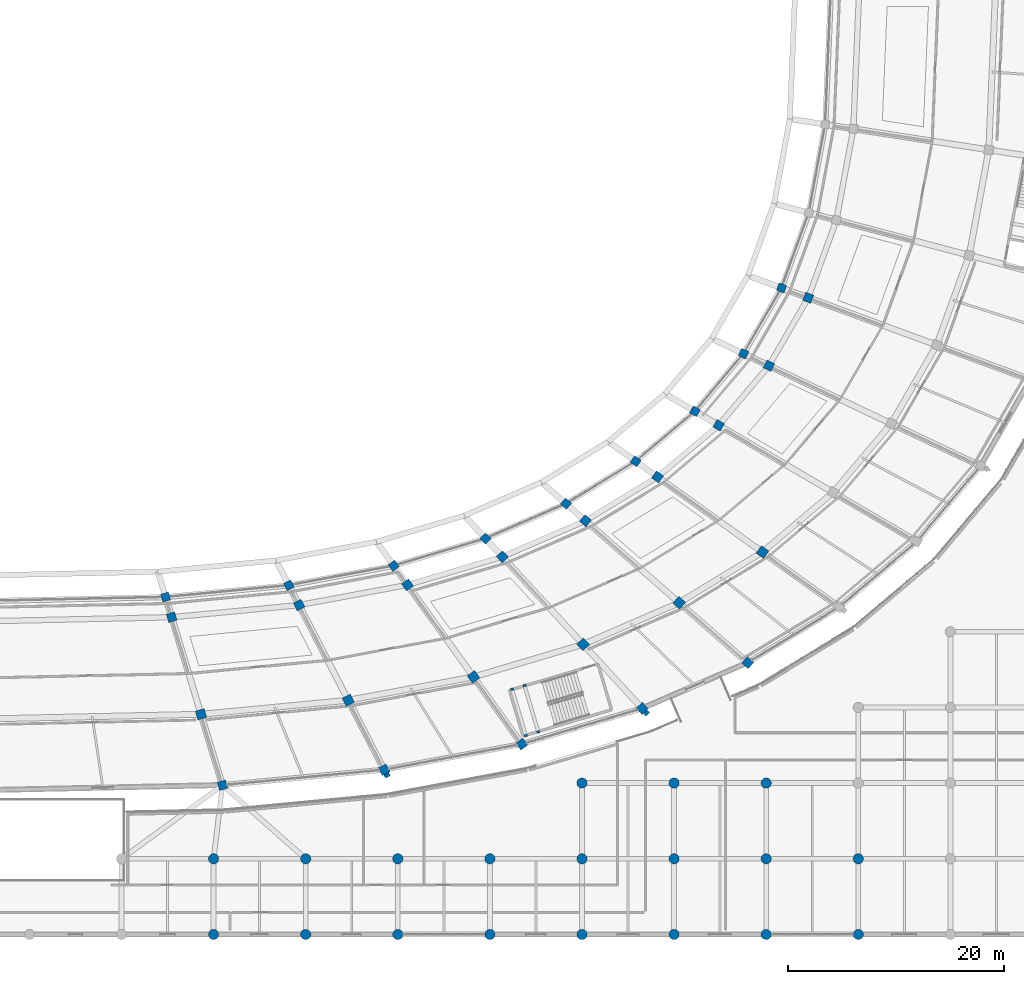
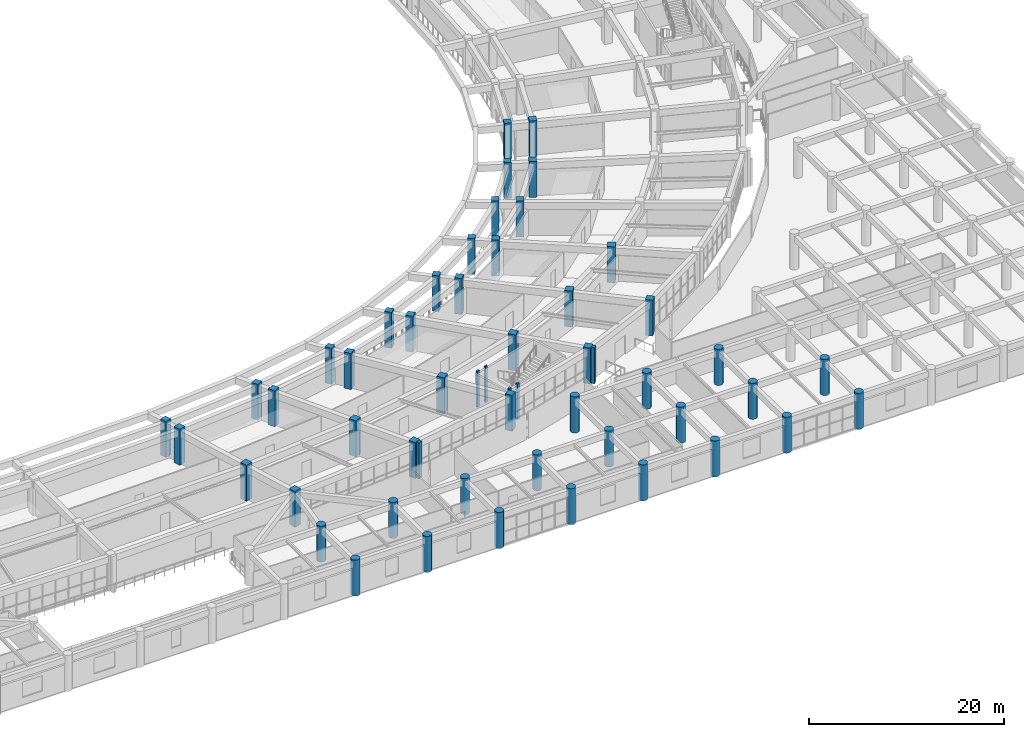
# One storey, part 4 of 145: 54 columns.
"""IFC4 building model written with IfcOpenShell, lengths in metres."""

import ifcopenshell
import ifcopenshell.guid

model = None  # the IFC model being written
_history = None  # IfcOwnerHistory: only IFC2X3 demands one
_inside = {}  # id of a spatial element -> (the spatial element, [elements in it])
_under = {}  # id of a project, library or spatial element -> (it, [spatial elements below it])
_declared = {}  # id of a project -> (the project, [libraries it declares])
_typed = {}  # id of a type object -> (the type object, [elements of that type])
_made_of = {}  # id of a material, layer set ... -> (it, [elements and type objects made of it])


def new_model(schema):
    """Start an empty IFC model of exactly this schema.

    Asked for "IFC4X3", IfcOpenShell would pick the latest addendum, in which some entities
    have other attributes; the version numbers below select the first issue.
    IFC2X3 requires an IfcOwnerHistory on every rooted entity: one is made here for all.
    """
    global model, _history
    if schema == "IFC4X3":
        model = ifcopenshell.file(schema_version=(4, 3, 0, 0))
    else:
        model = ifcopenshell.file(schema=schema)
    _inside.clear()
    _under.clear()
    _declared.clear()
    _typed.clear()
    _made_of.clear()
    _history = None
    if model.schema == "IFC2X3":
        org = make("IfcOrganization", Name="unknown")
        user = make(
            "IfcPersonAndOrganization",
            ThePerson=make("IfcPerson", FamilyName="unknown"),
            TheOrganization=org,
        )
        app = make(
            "IfcApplication",
            ApplicationDeveloper=org,
            Version="unknown",
            ApplicationFullName="unknown",
            ApplicationIdentifier="unknown",
        )
        _history = make(
            "IfcOwnerHistory",
            OwningUser=user,
            OwningApplication=app,
            ChangeAction="ADDED",
            CreationDate=0,
        )
    return model


def make(cls, **values):
    """One entity of the class cls with the attributes given. An attribute that is None is left unset."""
    return model.create_entity(
        cls, **{name: value for name, value in values.items() if value is not None}
    )


def rooted(cls, **values):
    """An entity with a GlobalId (a new one), such as an element, a storey or a relation."""
    return make(cls, GlobalId=ifcopenshell.guid.new(), OwnerHistory=_history, **values)


def si_unit(unit_type, name, prefix=None):
    """IfcSIUnit, for example si_unit("LENGTHUNIT", "METRE", prefix="MILLI")."""
    return make("IfcSIUnit", UnitType=unit_type, Prefix=prefix, Name=name)


def assignment(units):
    """IfcUnitAssignment: the units of a project."""
    return None if units is None else make("IfcUnitAssignment", Units=units)


def point(xyz):
    """IfcCartesianPoint."""
    return None if xyz is None else make("IfcCartesianPoint", Coordinates=xyz)


def direction(xyz):
    """IfcDirection."""
    return None if xyz is None else make("IfcDirection", DirectionRatios=xyz)


def frame(location, z_axis=None, x_axis=None):
    """IfcAxis2Placement3D, a coordinate frame: its origin and axes. An axis left out is left unset."""
    return make(
        "IfcAxis2Placement3D",
        Location=point(location),
        Axis=direction(z_axis),
        RefDirection=direction(x_axis),
    )


def frame_2d(location, x_axis=None):
    """IfcAxis2Placement2D, a coordinate frame in the plane: its origin and x axis."""
    return make(
        "IfcAxis2Placement2D", Location=point(location), RefDirection=direction(x_axis)
    )


def origin():
    """The frame at (0, 0, 0) with its axes left unset."""
    return frame((0.0, 0.0, 0.0))


def origin_2d():
    """The frame at (0, 0) in the plane with its x axis left unset."""
    return frame_2d((0.0, 0.0))


def place(relative_to, where):
    """IfcLocalPlacement: puts the frame where relative to a parent placement (None: the world)."""
    return make(
        "IfcLocalPlacement", PlacementRelTo=relative_to, RelativePlacement=where
    )


def context(
    kind, dimensions, precision=None, world=None, true_north=None, identifier=None
):
    """IfcGeometricRepresentationContext, for example the 3D "Model" context."""
    return make(
        "IfcGeometricRepresentationContext",
        ContextIdentifier=identifier,
        ContextType=kind,
        CoordinateSpaceDimension=dimensions,
        Precision=precision,
        WorldCoordinateSystem=world,
        TrueNorth=true_north,
    )


def subcontext(parent, identifier, kind, view, scale=None):
    """IfcGeometricRepresentationSubContext, for example "Body" below "Model"."""
    return make(
        "IfcGeometricRepresentationSubContext",
        ContextIdentifier=identifier,
        ContextType=kind,
        ParentContext=parent,
        TargetScale=scale,
        TargetView=view,
    )


def project(units=None, contexts=None):
    """IfcProject with its units and contexts."""
    return rooted(
        "IfcProject",
        Name="project",
        RepresentationContexts=contexts,
        UnitsInContext=assignment(units),
    )


def spatial(cls, under=None, at=None, **own):
    """A site, building, storey or space (cls), placed at a placement, below another one or the project."""
    s = rooted(cls, ObjectPlacement=at, **own)
    if under is not None:
        _under.setdefault(under.id(), (under, []))[1].append(s)
    return s


def profile(cls, at=None, kind="AREA", **sizes):
    """A parametric profile (cls). Its sizes go by their IFC names, for example OverallWidth=200.0."""
    return make(cls, ProfileType=kind, Position=at, **sizes)


def rectangle(**sizes):
    """IfcRectangleProfileDef."""
    return profile("IfcRectangleProfileDef", **sizes)


def circle(**sizes):
    """IfcCircleProfileDef."""
    return profile("IfcCircleProfileDef", **sizes)


def extrude(swept, where, along, depth):
    """IfcExtrudedAreaSolid: the profile swept, set in the frame where, extruded along a direction by depth."""
    return make(
        "IfcExtrudedAreaSolid",
        SweptArea=swept,
        Position=where,
        ExtrudedDirection=direction(along),
        Depth=depth,
    )


def shape(context_of_items, identifier, shape_type, items):
    """IfcShapeRepresentation: the items that make up one representation, for example the "Body"."""
    return make(
        "IfcShapeRepresentation",
        ContextOfItems=context_of_items,
        RepresentationIdentifier=identifier,
        RepresentationType=shape_type,
        Items=items,
    )


def material(Name=None, Category=None):
    """IfcMaterial."""
    return make("IfcMaterial", Name=Name, Category=Category)


def material_profile(
    of_material, cross_section, Name=None, Category=None, Priority=None
):
    """IfcMaterialProfile: a cross section and its material."""
    return make(
        "IfcMaterialProfile",
        Name=Name,
        Material=of_material,
        Profile=cross_section,
        Priority=Priority,
        Category=Category,
    )


def profile_set(profiles, Name=None, composite=None):
    """IfcMaterialProfileSet."""
    return make(
        "IfcMaterialProfileSet",
        Name=Name,
        MaterialProfiles=profiles,
        CompositeProfile=composite,
    )


def made_of(thing, what):
    """Note that an element or type object is made of a material, layer set ...; save() writes the relation."""
    if what is not None:
        _made_of.setdefault(what.id(), (what, []))[1].append(thing)
    return thing


def type_object(cls, material=None, **own):
    """A type object (cls), such as IfcWallType, which elements share."""
    return made_of(rooted(cls, **own), material)


def element(
    cls,
    number,
    at=None,
    inside=None,
    cuts=None,
    type_object=None,
    material=None,
    context=None,
    identifier="Body",
    shape_type=None,
    held_by="IfcProductDefinitionShape",
    body=None,
    shapes=None,
    **own,
):
    """One element of the class cls, such as IfcWall. Its Tag is "e" and its number.

    at: its placement. inside: the storey or other place that contains it. cuts: it is an
    opening in that element (IfcRelVoidsElement). A single representation is given by context,
    identifier, shape_type and body (its items); several are given by shapes. held_by: the class
    of the entity that holds the representations. save() writes the other relations.
    """
    e = rooted(cls, Tag="e%d" % number, ObjectPlacement=at, **own)
    if body is not None:
        shapes = [shape(context, identifier, shape_type, body)]
    if shapes is not None:
        e.Representation = make(held_by, Representations=shapes)
    if inside is not None:
        _inside.setdefault(inside.id(), (inside, []))[1].append(e)
    if cuts is not None:
        rooted(
            "IfcRelVoidsElement", RelatingBuildingElement=cuts, RelatedOpeningElement=e
        )
    if type_object is not None:
        _typed.setdefault(type_object.id(), (type_object, []))[1].append(e)
    return made_of(e, material)


def aggregate(whole, parts):
    """IfcRelAggregates: a whole, such as a stair, and the parts it consists of."""
    return rooted("IfcRelAggregates", RelatingObject=whole, RelatedObjects=parts)


def save(model, path):
    """Write the relations noted so far, then the file.

    IfcRelAggregates (storeys below a building ...), IfcRelContainedInSpatialStructure (elements
    in a storey), IfcRelDefinesByType, IfcRelAssociatesMaterial and IfcRelDeclares: one each for
    every whole, place, type object, material and project.
    """
    for whole, parts in _under.values():
        aggregate(whole, parts)
    for where, things in _inside.values():
        rooted(
            "IfcRelContainedInSpatialStructure",
            RelatedElements=things,
            RelatingStructure=where,
        )
    for kind, things in _typed.values():
        rooted("IfcRelDefinesByType", RelatedObjects=things, RelatingType=kind)
    for what, things in _made_of.values():
        rooted("IfcRelAssociatesMaterial", RelatedObjects=things, RelatingMaterial=what)
    for by, libraries in _declared.values():
        rooted("IfcRelDeclares", RelatingContext=by, RelatedDefinitions=libraries)
    model.write(path)


model = new_model("IFC4")

# Units and contexts
model_context = context("Model", 3, precision=1e-05, world=origin(), true_north=direction((0.0, 1.0)))
body_context = subcontext(model_context, "Body", "Model", "MODEL_VIEW")
ifc_project = project(units=[si_unit("LENGTHUNIT", "METRE"), si_unit("AREAUNIT", "SQUARE_METRE"), si_unit("VOLUMEUNIT", "CUBIC_METRE"), si_unit("PLANEANGLEUNIT", "RADIAN"), si_unit("MASSUNIT", "GRAM", prefix="KILO")], contexts=[model_context])

# Site, building, storey
site_placement = place(None, origin())
site = spatial("IfcSite", under=ifc_project, at=site_placement, CompositionType="ELEMENT")
building_placement = place(site_placement, origin())
building = spatial("IfcBuilding", under=site, at=building_placement, Name="Mphavela Belvedere Stadium", CompositionType="ELEMENT")
storey_placement = place(building_placement, frame((0.0, 0.0, 10.199951171875)))
storey = spatial("IfcBuildingStorey", under=building, at=storey_placement, Name="L02", CompositionType="ELEMENT", Elevation=10.199951171875)

# Columns
ifc_material_1 = material(Name="Concrete C40/50", Category="concrete")
ifc_material_profile_1 = material_profile(ifc_material_1, rectangle(XDim=0.300048828125, YDim=0.219970703125, at=origin_2d()), Name="RC 300x220")
ifc_profile_set_1 = profile_set([ifc_material_profile_1], Name="Concrete C40/50")
column_type_1 = type_object("IfcColumnType", Name="COL-CORE-POST-300", PredefinedType="COLUMN", material=ifc_profile_set_1)
for number, where, z_axis, x_axis, name in (
    (1, (165.05419921875, 23.027099609375, 0.0), (0.0, 0.0, 1.0), (-0.958670893355, -0.284517342588, 0.0), "Core P04 stair frame column L02-1"),
    (2, (163.90380859375, 22.685791015625, 0.0), (0.0, 0.0, 1.0), (-0.958670893355, -0.284517342588, 0.0), "Core P04 stair frame column L02-2"),
    (3, (165.175537109375, 18.400390625, 0.0), (0.0, 0.0, 1.0), (-0.958670893355, -0.284517342588, 0.0), "Core P04 stair frame column L02-3"),
    (4, (166.325927734375, 18.741943359375, 0.0), (0.0, 0.0, 1.0), (-0.958670893355, -0.284517342588, 0.0), "Core P04 stair frame column L02-4"),
):
    element("IfcColumn", number, at=place(storey_placement, frame(where, z_axis=z_axis, x_axis=x_axis)), inside=storey, type_object=column_type_1, Name=name, PredefinedType="COLUMN", context=body_context, shape_type="SweptSolid", body=[
        extrude(rectangle(XDim=0.300048828125, YDim=0.219970703125, at=origin_2d()), origin(), (0.0, 0.0, 1.0), 4.5),
    ])
ifc_material_2 = material(Name="Concrete C40/50", Category="concrete")
ifc_material_profile_2 = material_profile(ifc_material_2, circle(Radius=0.47509765625, at=origin_2d()), Name="COL D950")
ifc_profile_set_2 = profile_set([ifc_material_profile_2], Name="Concrete C40/50")
column_type_2 = type_object("IfcColumnType", Name="COL-DORIC-950", PredefinedType="COLUMN", material=ifc_profile_set_2)
for number, where, z_axis, x_axis, name in (
    (5, (136.2958984375, 0.0, 0.0), (0.0, 0.0, 1.0), (1.0, 0.0, 0.0), "South Axial Triumphal Peristyle Portico classical column L02 17-1"),
    (6, (136.2958984375, 7.0, 0.0), (0.0, 0.0, 1.0), (1.0, 0.0, 0.0), "South Axial Triumphal Peristyle Portico classical column L02 17-2"),
    (7, (144.81494140625, 0.0, 0.0), (0.0, 0.0, 1.0), (1.0, 0.0, 0.0), "South Axial Triumphal Peristyle Portico classical column L02 18-1"),
    (8, (144.81494140625, 7.0, 0.0), (0.0, 0.0, 1.0), (1.0, 0.0, 0.0), "South Axial Triumphal Peristyle Portico classical column L02 18-2"),
    (9, (153.3330078125, 0.0, 0.0), (0.0, 0.0, 1.0), (1.0, 0.0, 0.0), "South Axial Triumphal Peristyle Portico classical column L02 19-1"),
    (10, (153.3330078125, 7.0, 0.0), (0.0, 0.0, 1.0), (1.0, 0.0, 0.0), "South Axial Triumphal Peristyle Portico classical column L02 19-2"),
    (11, (161.85205078125, 0.0, 0.0), (0.0, 0.0, 1.0), (1.0, 0.0, 0.0), "South Axial Triumphal Peristyle Portico classical column L02 20-1"),
    (12, (161.85205078125, 7.0, 0.0), (0.0, 0.0, 1.0), (1.0, 0.0, 0.0), "South Axial Triumphal Peristyle Portico classical column L02 20-2"),
    (13, (170.3701171875, 0.0, 0.0), (0.0, 0.0, 1.0), (1.0, 0.0, 0.0), "South Axial Triumphal Peristyle Portico classical column L02 21-1"),
    (14, (170.3701171875, 7.0, 0.0), (0.0, 0.0, 1.0), (1.0, 0.0, 0.0), "South Axial Triumphal Peristyle Portico classical column L02 21-2"),
    (15, (170.3701171875, 14.0, 0.0), (0.0, 0.0, 1.0), (1.0, 0.0, 0.0), "South Axial Triumphal Peristyle Portico classical column L02 21-3"),
    (16, (178.888916015625, 0.0, 0.0), (0.0, 0.0, 1.0), (1.0, 0.0, 0.0), "South Axial Triumphal Peristyle Portico classical column L02 22-1"),
    (17, (178.888916015625, 7.0, 0.0), (0.0, 0.0, 1.0), (1.0, 0.0, 0.0), "South Axial Triumphal Peristyle Portico classical column L02 22-2"),
    (18, (178.888916015625, 14.0, 0.0), (0.0, 0.0, 1.0), (1.0, 0.0, 0.0), "South Axial Triumphal Peristyle Portico classical column L02 22-3"),
    (19, (187.406982421875, 0.0, 0.0), (0.0, 0.0, 1.0), (1.0, 0.0, 0.0), "South Axial Triumphal Peristyle Portico classical column L02 23-1"),
    (20, (187.406982421875, 7.0, 0.0), (0.0, 0.0, 1.0), (1.0, 0.0, 0.0), "South Axial Triumphal Peristyle Portico classical column L02 23-2"),
    (21, (187.406982421875, 14.0, 0.0), (0.0, 0.0, 1.0), (1.0, 0.0, 0.0), "South Axial Triumphal Peristyle Portico classical column L02 23-3"),
    (22, (195.926025390625, 0.0, 0.0), (0.0, 0.0, 1.0), (1.0, 0.0, 0.0), "South Axial Triumphal Peristyle Portico classical column L02 24-1"),
    (23, (195.926025390625, 7.0, 0.0), (0.0, 0.0, 1.0), (1.0, 0.0, 0.0), "South Axial Triumphal Peristyle Portico classical column L02 24-2"),
):
    element("IfcColumn", number, at=place(storey_placement, frame(where, z_axis=z_axis, x_axis=x_axis)), inside=storey, type_object=column_type_2, Name=name, PredefinedType="COLUMN", context=body_context, shape_type="SweptSolid", body=[
        extrude(circle(Radius=0.47509765625, at=origin_2d()), origin(), (0.0, 0.0, 1.0), 4.5),
    ])
ifc_material_3 = material(Name="Concrete C40/50", Category="concrete")
ifc_material_profile_3 = material_profile(ifc_material_3, rectangle(XDim=0.75, YDim=0.75, at=origin_2d()), Name="RC 750x750")
ifc_profile_set_3 = profile_set([ifc_material_profile_3], Name="Concrete C40/50")
column_type_3 = type_object("IfcColumnType", Name="COL-RC750", PredefinedType="COLUMN", material=ifc_profile_set_3)
for number, where, z_axis, x_axis, name in (
    (24, (131.857177734375, 31.20703125, 0.0), (0.0, 0.0, 1.0), (0.289198876314, -0.957269037387, 0.0), "Inner concourse column L02 R1-38"),
    (25, (143.25927734375, 32.294189453125, 0.0), (0.0, 0.0, 1.0), (0.458959712465, -0.888457079624, 0.0), "Inner concourse column L02 R1-39"),
    (26, (152.961669921875, 34.101318359375, 0.0), (0.0, 0.0, 1.0), (0.582974127943, -0.812490717577, 0.0), "Inner concourse column L02 R1-40"),
    (27, (161.450439453125, 36.62109375, 0.0), (0.0, 0.0, 1.0), (0.677903094969, -0.735151272753, 0.0), "Inner concourse column L02 R1-41"),
    (28, (168.88916015625, 39.845703125, 0.0), (0.0, 0.0, 1.0), (0.752529860433, -0.658558128912, 0.0), "Inner concourse column L02 R1-42"),
    (29, (175.33740234375, 43.7685546875, 0.0), (0.0, 0.0, 1.0), (0.812897512265, -0.582406760395, 0.0), "Inner concourse column L02 R1-43"),
    (30, (180.8125, 48.388671875, 0.0), (0.0, 0.0, 1.0), (0.862513669207, -0.506033764121, 0.0), "Inner concourse column L02 R1-44"),
    (31, (185.31298828125, 53.718505859375, 0.0), (0.0, 0.0, 1.0), (0.903858661687, -0.4278311813, 0.0), "Inner concourse column L02 R1-45"),
    (32, (188.829833984375, 59.80078125, 0.0), (0.0, 0.0, 1.0), (0.938372433776, -0.34562577382, 0.0), "Inner concourse column L02 R1-46"),
):
    element("IfcColumn", number, at=place(storey_placement, frame(where, z_axis=z_axis, x_axis=x_axis)), inside=storey, type_object=column_type_3, Name=name, PredefinedType="COLUMN", context=body_context, shape_type="SweptSolid", body=[
        extrude(rectangle(XDim=0.75, YDim=0.75, at=origin_2d()), origin(), (0.0, 0.0, 1.0), 4.5),
    ])
ifc_material_4 = material(Name="Concrete C40/50", Category="concrete")
ifc_material_profile_4 = material_profile(ifc_material_4, rectangle(XDim=0.800048828125, YDim=0.800048828125, at=origin_2d()), Name="RC 800x800")
ifc_profile_set_4 = profile_set([ifc_material_profile_4], Name="Concrete C40/50")
column_type_4 = type_object("IfcColumnType", Name="COL-RC800", PredefinedType="COLUMN", material=ifc_profile_set_4)
for number, where, z_axis, x_axis, name in (
    (33, (132.42041015625, 29.342529296875, 0.0), (0.0, 0.0, 1.0), (0.289198876314, -0.957269037387, 0.0), "Middle concourse column L02 R2-38"),
    (34, (137.114501953125, 13.80615234375, 0.0), (0.0, 0.0, 1.0), (0.289198876314, -0.957269037387, 0.0), "Outer colonnade column L02 R4-38"),
    (35, (144.20361328125, 30.46630859375, 0.0), (0.0, 0.0, 1.0), (0.458959712465, -0.888457079624, 0.0), "Middle concourse column L02 R2-39"),
    (36, (152.07275390625, 15.232666015625, 0.0), (0.0, 0.0, 1.0), (0.458959712465, -0.888457079624, 0.0), "Outer colonnade column L02 R4-39"),
    (37, (154.230224609375, 32.33349609375, 0.0), (0.0, 0.0, 1.0), (0.582974127943, -0.812490717577, 0.0), "Middle concourse column L02 R2-40"),
    (38, (164.80126953125, 17.60302734375, 0.0), (0.0, 0.0, 1.0), (0.582974127943, -0.812490717577, 0.0), "Outer colonnade column L02 R4-40"),
    (39, (163.002685546875, 34.9375, 0.0), (0.0, 0.0, 1.0), (0.677903094969, -0.735151272753, 0.0), "Middle concourse column L02 R2-41"),
    (40, (175.9375, 20.90869140625, 0.0), (0.0, 0.0, 1.0), (0.677903094969, -0.735151272753, 0.0), "Outer colonnade column L02 R4-41"),
    (41, (170.68994140625, 38.27001953125, 0.0), (0.0, 0.0, 1.0), (0.752529860433, -0.658558128912, 0.0), "Middle concourse column L02 R2-42"),
    (42, (185.6962890625, 25.13916015625, 0.0), (0.0, 0.0, 1.0), (0.752529860433, -0.658558128912, 0.0), "Outer colonnade column L02 R4-42"),
    (43, (177.353759765625, 42.323974609375, 0.0), (0.0, 0.0, 1.0), (0.812897512265, -0.582406760395, 0.0), "Middle concourse column L02 R2-43"),
    (44, (183.01171875, 47.098388671875, 0.0), (0.0, 0.0, 1.0), (0.862513669207, -0.506033764121, 0.0), "Middle concourse column L02 R2-44"),
    (45, (187.66259765625, 52.606201171875, 0.0), (0.0, 0.0, 1.0), (0.903858661687, -0.4278311813, 0.0), "Middle concourse column L02 R2-45"),
    (46, (191.297119140625, 58.891845703125, 0.0), (0.0, 0.0, 1.0), (0.938372433776, -0.34562577382, 0.0), "Middle concourse column L02 R2-46"),
):
    element("IfcColumn", number, at=place(storey_placement, frame(where, z_axis=z_axis, x_axis=x_axis)), inside=storey, type_object=column_type_4, Name=name, PredefinedType="COLUMN", context=body_context, shape_type="SweptSolid", body=[
        extrude(rectangle(XDim=0.800048828125, YDim=0.800048828125, at=origin_2d()), origin(), (0.0, 0.0, 1.0), 4.5),
    ])
ifc_material_5 = material(Name="Concrete C40/50", Category="concrete")
ifc_material_profile_5 = material_profile(ifc_material_5, rectangle(XDim=0.85009765625, YDim=0.85009765625, at=origin_2d()), Name="RC 850x850")
ifc_profile_set_5 = profile_set([ifc_material_profile_5], Name="Concrete C40/50")
column_type_5 = type_object("IfcColumnType", Name="COL-RC850", PredefinedType="COLUMN", material=ifc_profile_set_5)
for number, where, z_axis, x_axis, name in (
    (47, (135.1328125, 20.365966796875, 0.0), (0.0, 0.0, 1.0), (0.289198876314, -0.957269037387, 0.0), "Main bowl column L02 R3-38"),
    (48, (148.750244140625, 21.66455078125, 0.0), (0.0, 0.0, 1.0), (0.458959712465, -0.888457079624, 0.0), "Main bowl column L02 R3-39"),
    (49, (160.337890625, 23.822509765625, 0.0), (0.0, 0.0, 1.0), (0.582974127943, -0.812490717577, 0.0), "Main bowl column L02 R3-40"),
    (50, (170.476318359375, 26.83203125, 0.0), (0.0, 0.0, 1.0), (0.677903094969, -0.735151272753, 0.0), "Main bowl column L02 R3-41"),
    (51, (179.360107421875, 30.68310546875, 0.0), (0.0, 0.0, 1.0), (0.752529860433, -0.658558128912, 0.0), "Main bowl column L02 R3-42"),
    (52, (187.061279296875, 35.368408203125, 0.0), (0.0, 0.0, 1.0), (0.812897512265, -0.582406760395, 0.0), "Main bowl column L02 R3-43"),
):
    element("IfcColumn", number, at=place(storey_placement, frame(where, z_axis=z_axis, x_axis=x_axis)), inside=storey, type_object=column_type_5, Name=name, PredefinedType="COLUMN", context=body_context, shape_type="SweptSolid", body=[
        extrude(rectangle(XDim=0.85009765625, YDim=0.85009765625, at=origin_2d()), origin(), (0.0, 0.0, 1.0), 4.5),
    ])
ifc_material_6 = material(Name="Concrete C40/50", Category="concrete")
ifc_material_profile_6 = material_profile(ifc_material_6, rectangle(XDim=0.5, YDim=0.35009765625, at=origin_2d()), Name="PIL 500x350")
ifc_profile_set_6 = profile_set([ifc_material_profile_6], Name="Concrete C40/50")
column_type_6 = type_object("IfcColumnType", Name="PIL-FLUTED-500", PredefinedType="PILASTER", material=ifc_profile_set_6)
for number, where, z_axis, x_axis, name in (
    (53, (152.338134765625, 14.718994140625, 0.0), (0.0, 0.0, 1.0), (0.888457079624, 0.458959712465, 0.0), "Fluted classical pilaster L02-39"),
    (54, (176.329345703125, 20.48388671875, 0.0), (0.0, 0.0, 1.0), (0.735151272753, 0.677903094969, 0.0), "Fluted classical pilaster L02-41"),
):
    element("IfcColumn", number, at=place(storey_placement, frame(where, z_axis=z_axis, x_axis=x_axis)), inside=storey, type_object=column_type_6, Name=name, PredefinedType="PILASTER", context=body_context, shape_type="SweptSolid", body=[
        extrude(rectangle(XDim=0.5, YDim=0.35009765625, at=origin_2d()), origin(), (0.0, 0.0, 1.0), 4.5),
    ])

save(model, "model.ifc")
